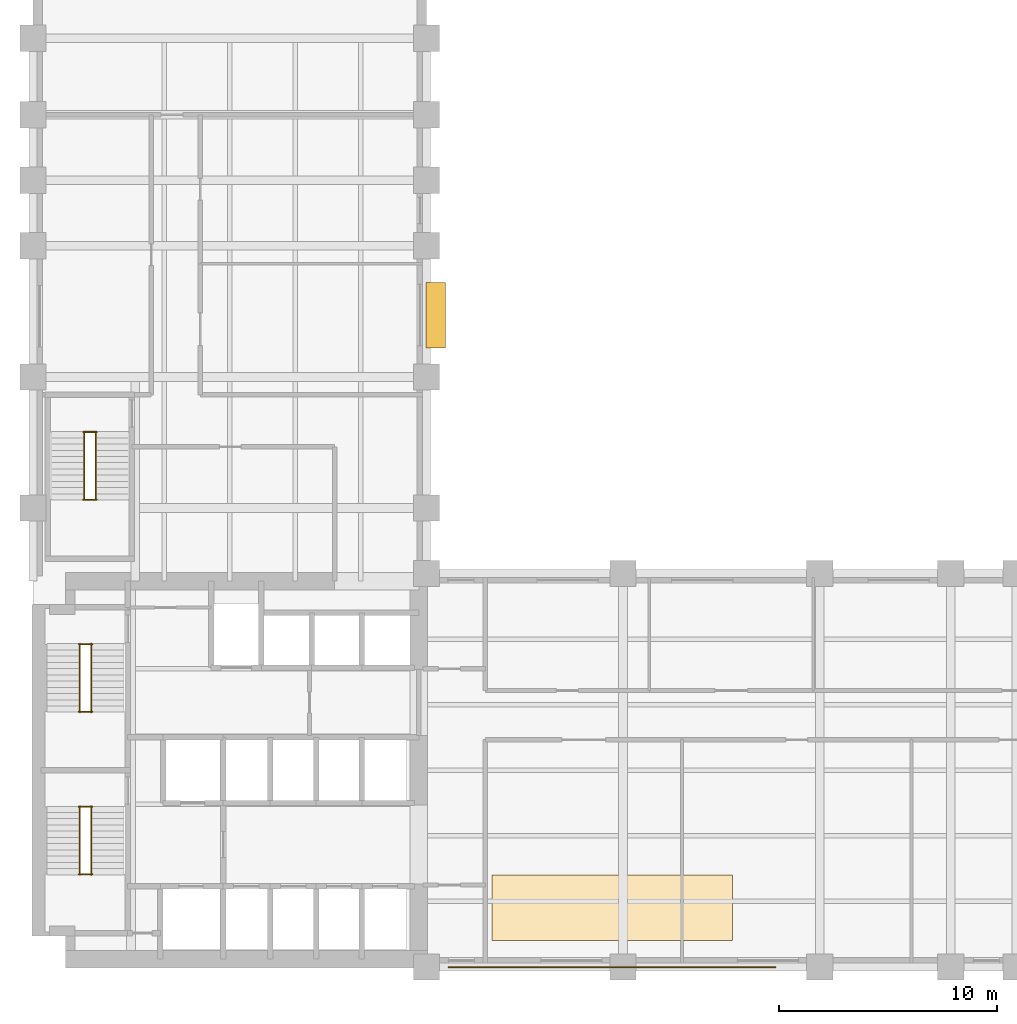
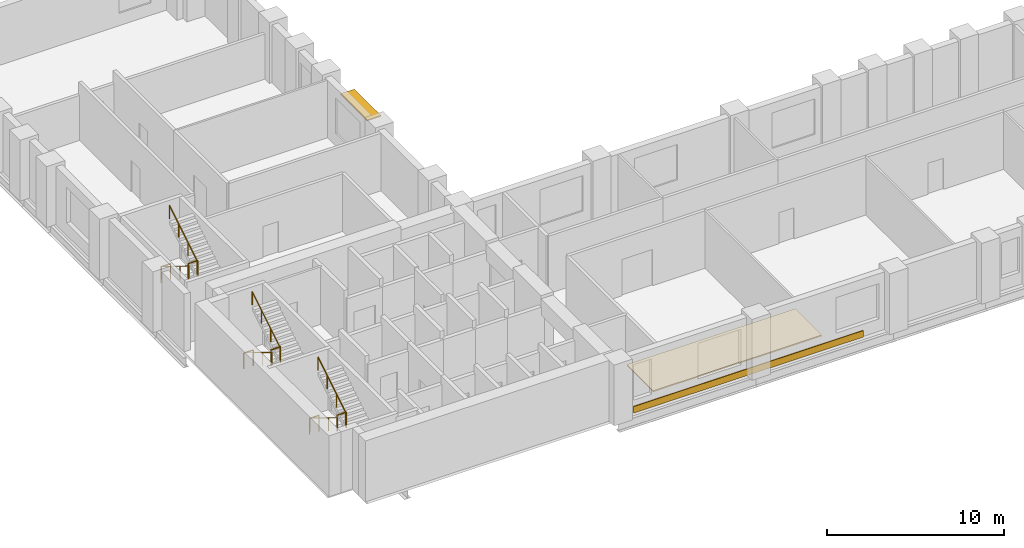
# One storey, part 7 of 8: 12 railings, 2 coverings, 1 shading device.
"""IFC4 building model written with IfcOpenShell, lengths in metres."""

from ifc_helpers import new_model, si_unit, direction, frame, origin, origin_2d, place, context, subcontext, project, spatial, polyline, rectangle, circle, outline, extrude, material, layer, layer_set, type_object, element, save


model = new_model("IFC4")

# Units and contexts
model_context = context("Model", 3, precision=1e-05, world=origin(), true_north=direction((0.0, 1.0)))
body_context = subcontext(model_context, "Body", "Model", "MODEL_VIEW")
ifc_project = project(units=[si_unit("LENGTHUNIT", "METRE"), si_unit("AREAUNIT", "SQUARE_METRE"), si_unit("VOLUMEUNIT", "CUBIC_METRE"), si_unit("PLANEANGLEUNIT", "RADIAN"), si_unit("MASSUNIT", "GRAM", prefix="KILO")], contexts=[model_context])

# Site, building, storey
site_placement = place(None, origin())
site = spatial("IfcSite", under=ifc_project, at=site_placement, CompositionType="ELEMENT")
building_placement = place(site_placement, origin())
building = spatial("IfcBuilding", under=site, at=building_placement, Name="Mawjdan Bourse Tower", CompositionType="ELEMENT")
storey_placement = place(building_placement, frame((0.0, 0.0, 38.39990234375)))
storey = spatial("IfcBuildingStorey", under=building, at=storey_placement, Name="L08", CompositionType="ELEMENT", Elevation=38.39990234375)

# Coverings
ifc_material_1 = material(Name="Honed Qatari Limestone Coping", Category="masonry")
ifc_layer_1 = layer(ifc_material_1, 0.054931640625)
ifc_layer_set_1 = layer_set([ifc_layer_1], Name="Honed Qatari Limestone Coping")
covering_type_1 = type_object("IfcCoveringType", Name="COV-CLD-SPN", PredefinedType="CLADDING", material=ifc_layer_set_1)
covering_1_placement = place(storey_placement, origin())
element("IfcCovering", 1, at=covering_1_placement, inside=storey, type_object=covering_type_1, Name="L08 Limestone Spandrel Coping Trim", PredefinedType="CLADDING", context=body_context, shape_type="SweptSolid", body=[
    extrude(outline(polyline([(25.0, 2.949951171875), (40.0, 2.949951171875), (40.0, 3.010009765625), (25.0, 3.010009765625), (25.0, 2.949951171875)])), origin(), (0.0, 0.0, 1.0), 0.4501953125),
])
ifc_material_2 = material(Name="Calcium Sulphate Antistatic Raised Floor Tile")
ifc_layer_2 = layer(ifc_material_2, 0.080078125)
ifc_layer_set_2 = layer_set([ifc_layer_2], Name="Calcium Sulphate Antistatic Raised Floor Tile")
covering_type_2 = type_object("IfcCoveringType", Name="COV-FLR-450", PredefinedType="FLOORING", material=ifc_layer_set_2)
covering_2_placement = place(storey_placement, origin())
element("IfcCovering", 2, at=covering_2_placement, inside=storey, type_object=covering_type_2, Name="L08 Antistatic Raised Access Trading Floor", PredefinedType="FLOORING", context=body_context, shape_type="SweptSolid", body=[
    extrude(outline(polyline([(27.0, 4.199951171875), (38.0, 4.199951171875), (38.0, 7.199951171875), (27.0, 7.199951171875), (27.0, 4.199951171875)])), origin(), (0.0, 0.0, 1.0), 0.080078125),
])

# Railings
ifc_material_3 = material(Name="Structural Steel S355", Category="steel")
railing_type_1 = type_object("IfcRailingType", Name="RLG-GRD-1100", PredefinedType="GUARDRAIL", material=ifc_material_3)
for number, where, name in (
    (3, (8.090087890625, 7.235107421875, 2.10009765625), "L08 ST1 Landing Guardrail GL-MID"),
    (4, (8.090087890625, 10.330078125, 0.0), "L08 ST1 Landing Guardrail GL-BOT"),
    (5, (8.090087890625, 14.675048828125, 2.10009765625), "L08 ST2 Landing Guardrail GL-MID"),
    (6, (8.090087890625, 17.77001953125, 0.0), "L08 ST2 Landing Guardrail GL-BOT"),
    (7, (8.2900390625, 24.385009765625, 2.10009765625), "L08 ST3 Landing Guardrail GL-MID"),
    (8, (8.2900390625, 27.47998046875, 0.0), "L08 ST3 Landing Guardrail GL-BOT"),
):
    element("IfcRailing", number, at=place(storey_placement, frame(where)), inside=storey, type_object=railing_type_1, Name=name, PredefinedType="GUARDRAIL", context=body_context, shape_type="SweptSolid", body=[
        extrude(circle(Radius=0.02490234375, at=origin_2d()), frame((0.0, 0.0, 1.0751953125), z_axis=(1.0, 0.0, 0.0), x_axis=(0.0, 1.0, 0.0)), (0.0, 0.0, 1.0), 0.619873046875),
        extrude(circle(Radius=0.02099609375, at=origin_2d()), origin(), (0.0, 0.0, 1.0), 1.050048828125),
        extrude(circle(Radius=0.02099609375, at=origin_2d()), frame((0.619873046875, 0.0, 0.0)), (0.0, 0.0, 1.0), 1.050048828125),
    ])
ifc_material_4 = material(Name="Brushed Stainless Steel", Category="steel")
railing_type_2 = type_object("IfcRailingType", Name="RLG-HND-920", PredefinedType="HANDRAIL", material=ifc_material_4)
railing_1_placement = place(storey_placement, frame((8.139892578125, 10.35009765625, 0.175048828125)))
element("IfcRailing", 9, at=railing_1_placement, inside=storey, type_object=railing_type_2, Name="L08 ST1 Flight Handrail HR1", PredefinedType="HANDRAIL", context=body_context, shape_type="SweptSolid", body=[
    extrude(circle(Radius=0.0224609375, at=origin_2d()), frame((0.0, 0.0, 0.8974609375), z_axis=(0.0, -0.852166034122, 0.523271488128), x_axis=(1.0, 0.0, 0.0)), (0.0, 0.0, 1.0), 3.678955078125),
    extrude(circle(Radius=0.01904296875, at=origin_2d()), origin(), (0.0, 0.0, 1.0), 0.875),
    extrude(circle(Radius=0.01904296875, at=origin_2d()), frame((0.0, -1.044921875, 0.6416015625)), (0.0, 0.0, 1.0), 0.875),
    extrude(circle(Radius=0.01904296875, at=origin_2d()), frame((0.0, -2.090087890625, 1.283447265625)), (0.0, 0.0, 1.0), 0.875),
    extrude(circle(Radius=0.01904296875, at=origin_2d()), frame((0.0, -3.135009765625, 1.925048828125)), (0.0, 0.0, 1.0), 0.875),
])
railing_2_placement = place(storey_placement, frame((8.659912109375, 7.215087890625, 2.275146484375)))
element("IfcRailing", 10, at=railing_2_placement, inside=storey, type_object=railing_type_2, Name="L08 ST1 Flight Handrail HR2", PredefinedType="HANDRAIL", context=body_context, shape_type="SweptSolid", body=[
    extrude(circle(Radius=0.0224609375, at=origin_2d()), frame((0.0, 0.0, 0.8974609375), z_axis=(0.0, 0.852166034122, 0.523271488128), x_axis=(-1.0, 0.0, 0.0)), (0.0, 0.0, 1.0), 3.678955078125),
    extrude(circle(Radius=0.01904296875, at=origin_2d()), origin(), (0.0, 0.0, 1.0), 0.875),
    extrude(circle(Radius=0.01904296875, at=origin_2d()), frame((0.0, 1.044921875, 0.6416015625)), (0.0, 0.0, 1.0), 0.875),
    extrude(circle(Radius=0.01904296875, at=origin_2d()), frame((0.0, 2.090087890625, 1.283447265625)), (0.0, 0.0, 1.0), 0.875),
    extrude(circle(Radius=0.01904296875, at=origin_2d()), frame((0.0, 3.135009765625, 1.925048828125)), (0.0, 0.0, 1.0), 0.875),
])
railing_3_placement = place(storey_placement, frame((8.139892578125, 17.7900390625, 0.175048828125)))
element("IfcRailing", 11, at=railing_3_placement, inside=storey, type_object=railing_type_2, Name="L08 ST2 Flight Handrail HR1", PredefinedType="HANDRAIL", context=body_context, shape_type="SweptSolid", body=[
    extrude(circle(Radius=0.0224609375, at=origin_2d()), frame((0.0, 0.0, 0.8974609375), z_axis=(0.0, -0.852166034122, 0.523271488128), x_axis=(1.0, 0.0, 0.0)), (0.0, 0.0, 1.0), 3.678955078125),
    extrude(circle(Radius=0.01904296875, at=origin_2d()), origin(), (0.0, 0.0, 1.0), 0.875),
    extrude(circle(Radius=0.01904296875, at=origin_2d()), frame((0.0, -1.044921875, 0.6416015625)), (0.0, 0.0, 1.0), 0.875),
    extrude(circle(Radius=0.01904296875, at=origin_2d()), frame((0.0, -2.090087890625, 1.283447265625)), (0.0, 0.0, 1.0), 0.875),
    extrude(circle(Radius=0.01904296875, at=origin_2d()), frame((0.0, -3.135009765625, 1.925048828125)), (0.0, 0.0, 1.0), 0.875),
])
railing_4_placement = place(storey_placement, frame((8.659912109375, 14.655029296875, 2.275146484375)))
element("IfcRailing", 12, at=railing_4_placement, inside=storey, type_object=railing_type_2, Name="L08 ST2 Flight Handrail HR2", PredefinedType="HANDRAIL", context=body_context, shape_type="SweptSolid", body=[
    extrude(circle(Radius=0.0224609375, at=origin_2d()), frame((0.0, 0.0, 0.8974609375), z_axis=(0.0, 0.852166034122, 0.523271488128), x_axis=(-1.0, 0.0, 0.0)), (0.0, 0.0, 1.0), 3.678955078125),
    extrude(circle(Radius=0.01904296875, at=origin_2d()), origin(), (0.0, 0.0, 1.0), 0.875),
    extrude(circle(Radius=0.01904296875, at=origin_2d()), frame((0.0, 1.044921875, 0.6416015625)), (0.0, 0.0, 1.0), 0.875),
    extrude(circle(Radius=0.01904296875, at=origin_2d()), frame((0.0, 2.090087890625, 1.283447265625)), (0.0, 0.0, 1.0), 0.875),
    extrude(circle(Radius=0.01904296875, at=origin_2d()), frame((0.0, 3.135009765625, 1.925048828125)), (0.0, 0.0, 1.0), 0.875),
])
railing_5_placement = place(storey_placement, frame((8.340087890625, 27.5, 0.175048828125)))
element("IfcRailing", 13, at=railing_5_placement, inside=storey, type_object=railing_type_2, Name="L08 ST3 Flight Handrail HR1", PredefinedType="HANDRAIL", context=body_context, shape_type="SweptSolid", body=[
    extrude(circle(Radius=0.0224609375, at=origin_2d()), frame((0.0, 0.0, 0.8974609375), z_axis=(0.0, -0.852166034122, 0.523271488128), x_axis=(1.0, 0.0, 0.0)), (0.0, 0.0, 1.0), 3.678955078125),
    extrude(circle(Radius=0.01904296875, at=origin_2d()), origin(), (0.0, 0.0, 1.0), 0.875),
    extrude(circle(Radius=0.01904296875, at=origin_2d()), frame((0.0, -1.044921875, 0.6416015625)), (0.0, 0.0, 1.0), 0.875),
    extrude(circle(Radius=0.01904296875, at=origin_2d()), frame((0.0, -2.090087890625, 1.283447265625)), (0.0, 0.0, 1.0), 0.875),
    extrude(circle(Radius=0.01904296875, at=origin_2d()), frame((0.0, -3.135009765625, 1.925048828125)), (0.0, 0.0, 1.0), 0.875),
])
railing_6_placement = place(storey_placement, frame((8.860107421875, 24.364990234375, 2.275146484375)))
element("IfcRailing", 14, at=railing_6_placement, inside=storey, type_object=railing_type_2, Name="L08 ST3 Flight Handrail HR2", PredefinedType="HANDRAIL", context=body_context, shape_type="SweptSolid", body=[
    extrude(circle(Radius=0.0224609375, at=origin_2d()), frame((0.0, 0.0, 0.8974609375), z_axis=(0.0, 0.852166034122, 0.523271488128), x_axis=(-1.0, 0.0, 0.0)), (0.0, 0.0, 1.0), 3.678955078125),
    extrude(circle(Radius=0.01904296875, at=origin_2d()), origin(), (0.0, 0.0, 1.0), 0.875),
    extrude(circle(Radius=0.01904296875, at=origin_2d()), frame((0.0, 1.044921875, 0.6416015625)), (0.0, 0.0, 1.0), 0.875),
    extrude(circle(Radius=0.01904296875, at=origin_2d()), frame((0.0, 2.090087890625, 1.283447265625)), (0.0, 0.0, 1.0), 0.875),
    extrude(circle(Radius=0.01904296875, at=origin_2d()), frame((0.0, 3.135009765625, 1.925048828125)), (0.0, 0.0, 1.0), 0.875),
])

# Shading device
ifc_material_5 = material(Name="Bronze Anodised Aluminium", Category="aluminium")
ifc_layer_3 = layer(ifc_material_5, 0.0849609375)
ifc_layer_set_3 = layer_set([ifc_layer_3], Name="Bronze Anodised Aluminium")
shading_device_type = type_object("IfcShadingDeviceType", Name="SHD-SUN-900", PredefinedType="USERDEFINED", material=ifc_layer_set_3)
shading_device_placement = place(storey_placement, frame((24.429931640625, 32.833251953125, 3.300048828125), z_axis=(0.0, 0.0, 1.0), x_axis=(0.0, 1.0, 0.0)))
element("IfcShadingDevice", 15, at=shading_device_placement, inside=storey, type_object=shading_device_type, Name="L08 Solar Window Hood 04", ObjectType="SUNSHADE", PredefinedType="USERDEFINED", context=body_context, shape_type="SweptSolid", body=[
    extrude(rectangle(XDim=3.0, YDim=0.89990234375, at=origin_2d()), origin(), (0.0, 0.0, 1.0), 0.0849609375),
])

save(model, "model.ifc")
